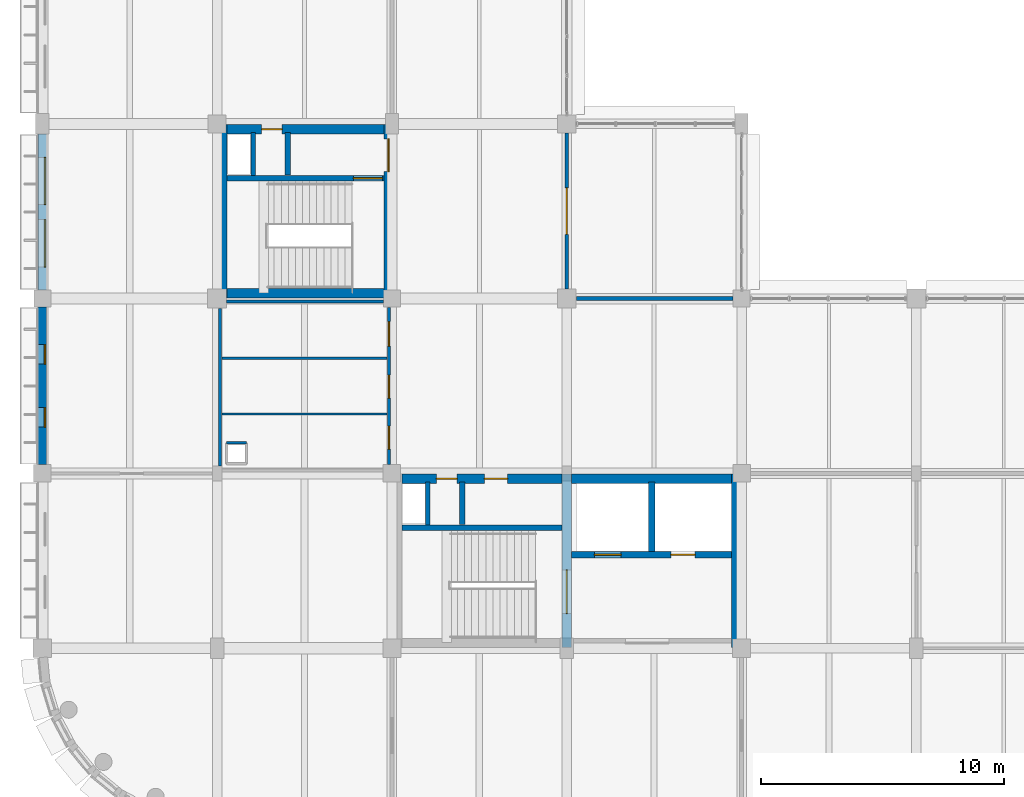
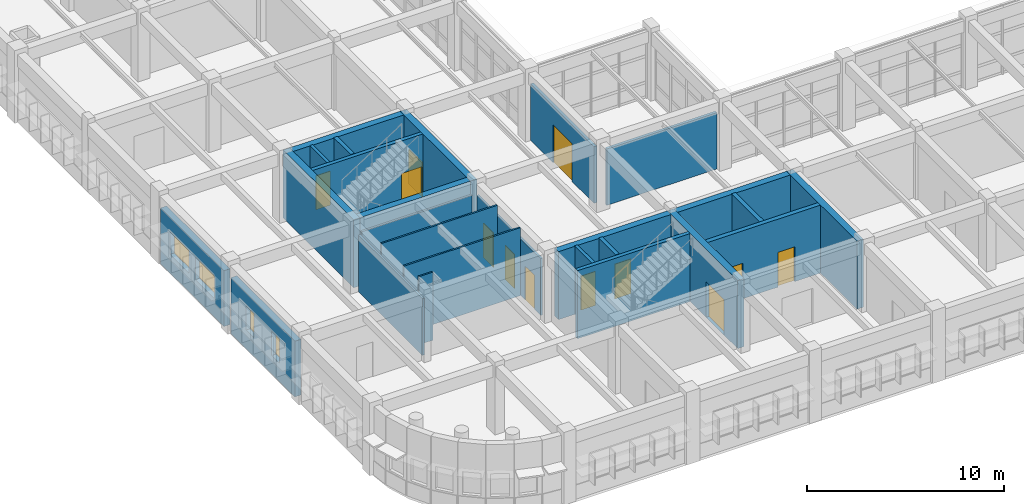
# One storey, part 148 of 171: 26 walls, 12 doors, 4 windows, 16 openings.
"""IFC4 building model written with IfcOpenShell, lengths in metres."""

from ifc_helpers import new_model, si_unit, direction, frame, frame_2d, origin, place, context, subcontext, project, spatial, rectangle, extrude, material, layer, layer_set, type_object, element, fill, save


model = new_model("IFC4")

# Units and contexts
model_context = context("Model", 3, precision=1e-05, world=origin(), true_north=direction((0.0, 1.0)))
body_context = subcontext(model_context, "Body", "Model", "MODEL_VIEW")
ifc_project = project(units=[si_unit("LENGTHUNIT", "METRE"), si_unit("AREAUNIT", "SQUARE_METRE"), si_unit("VOLUMEUNIT", "CUBIC_METRE"), si_unit("PLANEANGLEUNIT", "RADIAN"), si_unit("MASSUNIT", "GRAM", prefix="KILO")], contexts=[model_context])

# Site, building, storey
site_placement = place(None, origin())
site = spatial("IfcSite", under=ifc_project, at=site_placement, CompositionType="ELEMENT")
building_placement = place(site_placement, origin())
building = spatial("IfcBuilding", under=site, at=building_placement, Name="Thalmaran Polytechnic", CompositionType="ELEMENT")
storey_placement = place(building_placement, frame((0.0, 0.0, 5.39990234375)))
storey = spatial("IfcBuildingStorey", under=building, at=storey_placement, Name="L01", CompositionType="ELEMENT", Elevation=5.39990234375)

# Wall, openings, windows
ifc_material_1 = material(Name="Precast concrete C40/50", Category="concrete")
ifc_layer_1 = layer(ifc_material_1, 0.360107421875, Name="Precast concrete C40/50")
ifc_layer_set_1 = layer_set([ifc_layer_1], Name="Precast concrete C40/50")
wall_type_1 = type_object("IfcWallType", Name="WL-EW01", PredefinedType="STANDARD", material=ifc_layer_set_1)
wall_1_placement = place(storey_placement, frame((0.0, 14.760009765625, 0.0), z_axis=(0.0, 0.0, 1.0), x_axis=(0.0, 1.0, 0.0)))
wall_1 = element("IfcWall", 1, at=wall_1_placement, inside=storey, type_object=wall_type_1, Name="Exterior Precast Facade Wall L01-003", PredefinedType="STANDARD", context=body_context, shape_type="SweptSolid", body=[
    extrude(rectangle(XDim=6.489990234375, YDim=0.360107421875, at=frame_2d((3.2451171875, 0.0))), origin(), (0.0, 0.0, 1.0), 3.455078125),
])
opening_1_placement = place(wall_1_placement, frame((1.547119140625, 0.0, 1.14990234375)))
opening_1 = element("IfcOpeningElement", 2, at=opening_1_placement, cuts=wall_1, Name="Opening PW16", PredefinedType="OPENING", context=body_context, shape_type="SweptSolid", body=[
    extrude(rectangle(XDim=0.800048828125, YDim=1.5, at=frame_2d((0.39990234375, 0.75))), frame((0.0, 0.18994140625, 0.0), z_axis=(0.0, -1.0, 0.0), x_axis=(1.0, 0.0, 0.0)), (0.0, 0.0, 1.0), 0.380126953125),
])
opening_2_placement = place(wall_1_placement, frame((4.14306640625, 0.0, 1.14990234375)))
opening_2 = element("IfcOpeningElement", 3, at=opening_2_placement, cuts=wall_1, Name="Opening PW16", PredefinedType="OPENING", context=body_context, shape_type="SweptSolid", body=[
    extrude(rectangle(XDim=0.800048828125, YDim=1.5, at=frame_2d((0.39990234375, 0.75))), frame((0.0, 0.18994140625, 0.0), z_axis=(0.0, -1.0, 0.0), x_axis=(1.0, 0.0, 0.0)), (0.0, 0.0, 1.0), 0.380126953125),
])
ifc_material_2 = material(Name="Thermally broken aluminium and double low-E glass", Category="aluminium")
window_type_1 = type_object("IfcWindowType", Name="WN-PW06", PartitioningType="SINGLE_PANEL", PredefinedType="WINDOW", material=ifc_material_2)
window_1_placement = place(opening_1_placement, origin())
window_1 = element("IfcWindow", 4, at=window_1_placement, inside=storey, type_object=window_type_1, Name="Deep-Set Solar-Screened Window W-0086", OverallHeight=1.5, OverallWidth=0.800048828125, PartitioningType="SINGLE_PANEL", PredefinedType="WINDOW", context=body_context, shape_type="SweptSolid", body=[
    extrude(rectangle(XDim=0.800048828125, YDim=1.5, at=frame_2d((0.39990234375, 0.75))), frame((0.0, -0.080078125, 0.0), z_axis=(0.0, -1.0, 0.0), x_axis=(1.0, 0.0, 0.0)), (0.0, 0.0, 1.0), 0.06005859375),
])
fill(opening_1, window_1)
window_2_placement = place(opening_2_placement, origin())
window_2 = element("IfcWindow", 5, at=window_2_placement, inside=storey, type_object=window_type_1, Name="Deep-Set Solar-Screened Window W-0087", OverallHeight=1.5, OverallWidth=0.800048828125, PartitioningType="SINGLE_PANEL", PredefinedType="WINDOW", context=body_context, shape_type="SweptSolid", body=[
    extrude(rectangle(XDim=0.800048828125, YDim=1.5, at=frame_2d((0.39990234375, 0.75))), frame((0.0, -0.080078125, 0.0), z_axis=(0.0, -1.0, 0.0), x_axis=(1.0, 0.0, 0.0)), (0.0, 0.0, 1.0), 0.06005859375),
])
fill(opening_2, window_2)

wall_2_placement = place(storey_placement, frame((0.0, 21.949951171875, 0.0), z_axis=(0.0, 0.0, 1.0), x_axis=(0.0, 1.0, 0.0)))
wall_2 = element("IfcWall", 6, at=wall_2_placement, inside=storey, type_object=wall_type_1, Name="Exterior Precast Facade Wall L01-004", PredefinedType="STANDARD", context=body_context, shape_type="SweptSolid", body=[
    extrude(rectangle(XDim=6.425048828125, YDim=0.360107421875, at=frame_2d((3.21240234375, 0.0))), origin(), (0.0, 0.0, 1.0), 3.455078125),
])
opening_3_placement = place(wall_2_placement, frame((0.952392578125, 0.0, 1.14990234375)))
opening_3 = element("IfcOpeningElement", 7, at=opening_3_placement, cuts=wall_2, Name="Opening VW07", PredefinedType="OPENING", context=body_context, shape_type="SweptSolid", body=[
    extrude(rectangle(XDim=1.949951171875, YDim=1.39990234375, at=frame_2d((0.97509765625, 0.699951171875))), frame((0.0, 0.18994140625, 0.0), z_axis=(0.0, -1.0, 0.0), x_axis=(1.0, 0.0, 0.0)), (0.0, 0.0, 1.0), 0.380126953125),
])
opening_4_placement = place(wall_2_placement, frame((3.5224609375, 0.0, 1.14990234375)))
opening_4 = element("IfcOpeningElement", 8, at=opening_4_placement, cuts=wall_2, Name="Opening VW07", PredefinedType="OPENING", context=body_context, shape_type="SweptSolid", body=[
    extrude(rectangle(XDim=1.949951171875, YDim=1.39990234375, at=frame_2d((0.97509765625, 0.699951171875))), frame((0.0, 0.18994140625, 0.0), z_axis=(0.0, -1.0, 0.0), x_axis=(1.0, 0.0, 0.0)), (0.0, 0.0, 1.0), 0.380126953125),
])
window_type_2 = type_object("IfcWindowType", Name="WN-VZ07", PartitioningType="SINGLE_PANEL", PredefinedType="WINDOW", material=ifc_material_2)
window_3_placement = place(opening_3_placement, origin())
window_3 = element("IfcWindow", 9, at=window_3_placement, inside=storey, type_object=window_type_2, Name="Deep-Set Solar-Screened Window W-0088", OverallHeight=1.39990234375, OverallWidth=1.949951171875, PartitioningType="SINGLE_PANEL", PredefinedType="WINDOW", context=body_context, shape_type="SweptSolid", body=[
    extrude(rectangle(XDim=1.949951171875, YDim=1.39990234375, at=frame_2d((0.97509765625, 0.699951171875))), frame((0.0, -0.080078125, 0.0), z_axis=(0.0, -1.0, 0.0), x_axis=(1.0, 0.0, 0.0)), (0.0, 0.0, 1.0), 0.06005859375),
])
fill(opening_3, window_3)
window_4_placement = place(opening_4_placement, origin())
window_4 = element("IfcWindow", 10, at=window_4_placement, inside=storey, type_object=window_type_2, Name="Deep-Set Solar-Screened Window W-0089", OverallHeight=1.39990234375, OverallWidth=1.949951171875, PartitioningType="SINGLE_PANEL", PredefinedType="WINDOW", context=body_context, shape_type="SweptSolid", body=[
    extrude(rectangle(XDim=1.949951171875, YDim=1.39990234375, at=frame_2d((0.97509765625, 0.699951171875))), frame((0.0, -0.080078125, 0.0), z_axis=(0.0, -1.0, 0.0), x_axis=(1.0, 0.0, 0.0)), (0.0, 0.0, 1.0), 0.06005859375),
])
fill(opening_4, window_4)

# Walls
ifc_material_3 = material(Name="Autoclaved aerated masonry", Category="masonry")
ifc_layer_2 = layer(ifc_material_3, 0.25, Name="Autoclaved aerated masonry")
ifc_layer_set_2 = layer_set([ifc_layer_2], Name="Autoclaved aerated masonry")
wall_type_2 = type_object("IfcWallType", Name="WL-IW01", PredefinedType="PARTITIONING", material=ifc_layer_set_2)
wall_3_placement = place(storey_placement, frame((25.10009765625, 11.179931640625, 0.0), z_axis=(0.0, 0.0, 1.0), x_axis=(0.0, 1.0, 0.0)))
element("IfcWall", 11, at=wall_3_placement, inside=storey, type_object=wall_type_2, Name="Core C1 Shaft Dividing Wall L01", PredefinedType="PARTITIONING", context=body_context, shape_type="SweptSolid", body=[
    extrude(rectangle(XDim=2.8701171875, YDim=0.25, at=frame_2d((1.43505859375, 0.0))), origin(), (0.0, 0.0, 1.0), 4.210205078125),
])
ifc_layer_3 = layer(ifc_material_3, 0.22998046875, Name="Autoclaved aerated masonry")
ifc_layer_set_3 = layer_set([ifc_layer_3], Name="Autoclaved aerated masonry")
wall_type_3 = type_object("IfcWallType", Name="WL-IW02", PredefinedType="PARTITIONING", material=ifc_layer_set_3)
for number, where, z_axis, x_axis, name in (
    (12, (17.300048828125, 12.300048828125, 0.0), (0.0, 0.0, 1.0), (0.0, 1.0, 0.0), "Core C1 Riser Partition L01"),
    (13, (10.10009765625, 26.699951171875, 0.0), (0.0, 0.0, 1.0), (0.0, 1.0, 0.0), "Core C3 Riser Partition L01"),
):
    element("IfcWall", number, at=place(storey_placement, frame(where, z_axis=z_axis, x_axis=x_axis)), inside=storey, type_object=wall_type_3, Name=name, PredefinedType="PARTITIONING", context=body_context, shape_type="SweptSolid", body=[
        extrude(rectangle(XDim=1.739990234375, YDim=0.22998046875, at=frame_2d((0.8701171875, 0.0))), origin(), (0.0, 0.0, 1.0), 4.210205078125),
    ])
ifc_layer_4 = layer(ifc_material_3, 0.179931640625, Name="Autoclaved aerated masonry")
ifc_layer_set_4 = layer_set([ifc_layer_4], Name="Autoclaved aerated masonry")
wall_type_4 = type_object("IfcWallType", Name="WL-IW04", PredefinedType="PARTITIONING", material=ifc_layer_set_4)
for number, where, z_axis, x_axis, name in (
    (14, (15.8798828125, 12.280029296875, 0.0), (0.0, 0.0, 1.0), (0.0, 1.0, 0.0), "Core C1 Riser Shaft Enclosure Wall L01"),
    (15, (8.679931640625, 26.679931640625, 0.0), (0.0, 0.0, 1.0), (0.0, 1.0, 0.0), "Core C3 Riser Shaft Enclosure Wall L01"),
):
    element("IfcWall", number, at=place(storey_placement, frame(where, z_axis=z_axis, x_axis=x_axis)), inside=storey, type_object=wall_type_4, Name=name, PredefinedType="PARTITIONING", context=body_context, shape_type="SweptSolid", body=[
        extrude(rectangle(XDim=1.760009765625, YDim=0.179931640625, at=frame_2d((0.8798828125, 0.0))), origin(), (0.0, 0.0, 1.0), 4.210205078125),
    ])

# Wall, opening, door
ifc_material_4 = material(Name="Gypsum acoustic partition")
ifc_layer_5 = layer(ifc_material_4, 0.159912109375, Name="Gypsum acoustic partition")
ifc_layer_set_5 = layer_set([ifc_layer_5], Name="Gypsum acoustic partition")
wall_type_5 = type_object("IfcWallType", Name="WL-IW05", PredefinedType="PARTITIONING", material=ifc_layer_set_5)
wall_4_placement = place(storey_placement, frame((21.60009765625, 21.9951171875, 0.0), z_axis=(0.0, 0.0, 1.0), x_axis=(0.0, 1.0, 0.0)))
wall_4 = element("IfcWall", 16, at=wall_4_placement, inside=storey, type_object=wall_type_5, Name="Interior Partition IW05 L01-027", PredefinedType="PARTITIONING", context=body_context, shape_type="SweptSolid", body=[
    extrude(rectangle(XDim=6.4248046875, YDim=0.159912109375, at=frame_2d((3.21240234375, 0.0))), origin(), (0.0, 0.0, 1.0), 3.51513671875),
])
opening_5_placement = place(wall_4_placement, frame((2.25244140625, 0.0, 0.0)))
opening_5 = element("IfcOpeningElement", 17, at=opening_5_placement, cuts=wall_4, Name="Opening D-L01-009-1-05-1", PredefinedType="OPENING", context=body_context, shape_type="SweptSolid", body=[
    extrude(rectangle(XDim=1.919921875, YDim=2.35009765625, at=frame_2d((0.9599609375, 1.175048828125))), frame((0.0, 0.08984375, 0.0), z_axis=(0.0, -1.0, 0.0), x_axis=(1.0, 0.0, 0.0)), (0.0, 0.0, 1.0), 0.179931640625),
])
ifc_material_5 = material(Name="Acoustic hardwood and vision glass", Category="wood")
door_type_1 = type_object("IfcDoorType", Name="DR-ZD01", OperationType="NOTDEFINED", PredefinedType="DOOR", material=ifc_material_5)
door_1_placement = place(opening_5_placement, origin())
door_1 = element("IfcDoor", 18, at=door_1_placement, inside=storey, type_object=door_type_1, Name="Structural Models Design Studio L01-05 Door 1", OperationType="SINGLE_SWING_RIGHT", OverallHeight=2.35009765625, OverallWidth=1.919921875, PredefinedType="DOOR", context=body_context, shape_type="SweptSolid", body=[
    extrude(rectangle(XDim=1.919921875, YDim=2.35009765625, at=frame_2d((0.9599609375, 1.175048828125))), frame((0.0, 0.02490234375, 0.0), z_axis=(0.0, -1.0, 0.0), x_axis=(1.0, 0.0, 0.0)), (0.0, 0.0, 1.0), 0.050048828125),
])
fill(opening_5, door_1)

# Walls
wall_5_placement = place(storey_placement, frame((21.9951171875, 21.60009765625, 0.0), z_axis=(0.0, 0.0, 1.0), x_axis=(1.0, 0.0, 0.0)))
element("IfcWall", 19, at=wall_5_placement, inside=storey, type_object=wall_type_5, Name="Interior Partition IW05 L01-034", PredefinedType="PARTITIONING", context=body_context, shape_type="SweptSolid", body=[
    extrude(rectangle(XDim=6.449951171875, YDim=0.159912109375, at=frame_2d((3.22509765625, 0.0))), origin(), (0.0, 0.0, 1.0), 3.489990234375),
])
ifc_layer_6 = layer(ifc_material_4, 0.114990234375, Name="Gypsum acoustic partition")
ifc_layer_set_6 = layer_set([ifc_layer_6], Name="Gypsum acoustic partition")
wall_type_6 = type_object("IfcWallType", Name="WL-IW08", PredefinedType="PARTITIONING", material=ifc_layer_set_6)
wall_6_placement = place(storey_placement, frame((7.594970703125, 21.47998046875, 0.0), z_axis=(0.0, 0.0, 1.0), x_axis=(1.0, 0.0, 0.0)))
element("IfcWall", 20, at=wall_6_placement, inside=storey, type_object=wall_type_6, Name="Sanitary Core Wall L01-W1-N", PredefinedType="PARTITIONING", context=body_context, shape_type="SweptSolid", body=[
    extrude(rectangle(XDim=6.449951171875, YDim=0.114990234375, at=frame_2d((3.22509765625, 0.0))), origin(), (0.0, 0.0, 1.0), 3.47021484375),
])
wall_7_placement = place(storey_placement, frame((7.320068359375, 14.705078125, 0.0), z_axis=(0.0, 0.0, 1.0), x_axis=(0.0, 1.0, 0.0)))
element("IfcWall", 21, at=wall_7_placement, inside=storey, type_object=wall_type_6, Name="Sanitary Side Wall L01-W1-W", PredefinedType="PARTITIONING", context=body_context, shape_type="SweptSolid", body=[
    extrude(rectangle(XDim=6.5, YDim=0.114990234375, at=frame_2d((3.25, 0.0))), origin(), (0.0, 0.0, 1.0), 3.52001953125),
])

# Wall, openings, doors
wall_8_placement = place(storey_placement, frame((14.280029296875, 14.764892578125, 0.0), z_axis=(0.0, 0.0, 1.0), x_axis=(0.0, 1.0, 0.0)))
wall_8 = element("IfcWall", 22, at=wall_8_placement, inside=storey, type_object=wall_type_6, Name="Sanitary Side Wall L01-W1-E", PredefinedType="PARTITIONING", context=body_context, shape_type="SweptSolid", body=[
    extrude(rectangle(XDim=6.480224609375, YDim=0.114990234375, at=frame_2d((3.240234375, 0.0))), origin(), (0.0, 0.0, 1.0), 3.52001953125),
])
opening_6_placement = place(wall_8_placement, frame((0.635009765625, 0.0, 0.0)))
opening_6 = element("IfcOpeningElement", 23, at=opening_6_placement, cuts=wall_8, Name="Opening WD-L01-W1-1", PredefinedType="OPENING", context=body_context, shape_type="SweptSolid", body=[
    extrude(rectangle(XDim=0.949951171875, YDim=2.10009765625, at=frame_2d((0.47509765625, 1.050048828125))), frame((0.0, 0.0673828125, 0.0), z_axis=(0.0, -1.0, 0.0), x_axis=(1.0, 0.0, 0.0)), (0.0, 0.0, 1.0), 0.135009765625),
])
opening_7_placement = place(wall_8_placement, frame((2.735107421875, 0.0, 0.0)))
opening_7 = element("IfcOpeningElement", 24, at=opening_7_placement, cuts=wall_8, Name="Opening WD-L01-W1-2", PredefinedType="OPENING", context=body_context, shape_type="SweptSolid", body=[
    extrude(rectangle(XDim=0.949951171875, YDim=2.10009765625, at=frame_2d((0.47509765625, 1.050048828125))), frame((0.0, 0.0673828125, 0.0), z_axis=(0.0, -1.0, 0.0), x_axis=(1.0, 0.0, 0.0)), (0.0, 0.0, 1.0), 0.135009765625),
])
opening_8_placement = place(wall_8_placement, frame((4.885009765625, 0.0, 0.0)))
opening_8 = element("IfcOpeningElement", 25, at=opening_8_placement, cuts=wall_8, Name="Opening WD-L01-W1-3", PredefinedType="OPENING", context=body_context, shape_type="SweptSolid", body=[
    extrude(rectangle(XDim=1.0, YDim=2.14990234375, at=frame_2d((0.5, 1.074951171875))), frame((0.0, 0.0673828125, 0.0), z_axis=(0.0, -1.0, 0.0), x_axis=(1.0, 0.0, 0.0)), (0.0, 0.0, 1.0), 0.135009765625),
])
ifc_material_6 = material(Name="Acoustic hardwood", Category="wood")
door_type_2 = type_object("IfcDoorType", Name="DR-ID06", OperationType="NOTDEFINED", PredefinedType="DOOR", material=ifc_material_6)
door_2_placement = place(opening_8_placement, origin())
door_2 = element("IfcDoor", 26, at=door_2_placement, inside=storey, type_object=door_type_2, Name="Accessible WC Door L01-W1", OperationType="SINGLE_SWING_LEFT", OverallHeight=2.14990234375, OverallWidth=1.0, PredefinedType="DOOR", context=body_context, shape_type="SweptSolid", body=[
    extrude(rectangle(XDim=1.0, YDim=2.14990234375, at=frame_2d((0.5, 1.074951171875))), frame((0.0, 0.02490234375, 0.0), z_axis=(0.0, -1.0, 0.0), x_axis=(1.0, 0.0, 0.0)), (0.0, 0.0, 1.0), 0.050048828125),
])
fill(opening_8, door_2)
ifc_material_7 = material(Name="Moisture-resistant laminate timber", Category="wood")
door_type_3 = type_object("IfcDoorType", Name="DR-ID07", OperationType="NOTDEFINED", PredefinedType="DOOR", material=ifc_material_7)
door_3_placement = place(opening_6_placement, origin())
door_3 = element("IfcDoor", 27, at=door_3_placement, inside=storey, type_object=door_type_3, Name="Male WC Door L01-W1", OperationType="SINGLE_SWING_LEFT", OverallHeight=2.10009765625, OverallWidth=0.949951171875, PredefinedType="DOOR", context=body_context, shape_type="SweptSolid", body=[
    extrude(rectangle(XDim=0.949951171875, YDim=2.10009765625, at=frame_2d((0.47509765625, 1.050048828125))), frame((0.0, 0.02490234375, 0.0), z_axis=(0.0, -1.0, 0.0), x_axis=(1.0, 0.0, 0.0)), (0.0, 0.0, 1.0), 0.050048828125),
])
fill(opening_6, door_3)
door_4_placement = place(opening_7_placement, origin())
door_4 = element("IfcDoor", 28, at=door_4_placement, inside=storey, type_object=door_type_3, Name="Female WC Door L01-W1", OperationType="SINGLE_SWING_RIGHT", OverallHeight=2.10009765625, OverallWidth=0.949951171875, PredefinedType="DOOR", context=body_context, shape_type="SweptSolid", body=[
    extrude(rectangle(XDim=0.949951171875, YDim=2.10009765625, at=frame_2d((0.47509765625, 1.050048828125))), frame((0.0, 0.02490234375, 0.0), z_axis=(0.0, -1.0, 0.0), x_axis=(1.0, 0.0, 0.0)), (0.0, 0.0, 1.0), 0.050048828125),
])
fill(opening_7, door_4)

# Walls
ifc_material_8 = material(Name="Moisture-resistant partition")
ifc_layer_7 = layer(ifc_material_8, 0.10009765625, Name="Moisture-resistant partition")
ifc_layer_set_7 = layer_set([ifc_layer_7], Name="Moisture-resistant partition")
wall_type_7 = type_object("IfcWallType", Name="WL-IW09", PredefinedType="PARTITIONING", material=ifc_layer_set_7)
for number, where, z_axis, x_axis, name in (
    (29, (7.39990234375, 16.85009765625, 0.0), (0.0, 0.0, 1.0), (1.0, 0.0, 0.0), "WC Partition L01-W1-1"),
    (30, (7.39990234375, 19.14990234375, 0.0), (0.0, 0.0, 1.0), (1.0, 0.0, 0.0), "WC Partition L01-W1-2"),
):
    element("IfcWall", number, at=place(storey_placement, frame(where, z_axis=z_axis, x_axis=x_axis)), inside=storey, type_object=wall_type_7, Name=name, PredefinedType="PARTITIONING", context=body_context, shape_type="SweptSolid", body=[
        extrude(rectangle(XDim=6.800048828125, YDim=0.10009765625, at=frame_2d((3.39990234375, 0.0))), origin(), (0.0, 0.0, 1.0), 4.210205078125),
    ])
wall_9_placement = place(storey_placement, frame((8.409912109375, 15.659912109375, 0.0), z_axis=(0.0, 0.0, 1.0), x_axis=(-1.0, 0.0, 0.0)))
element("IfcWall", 31, at=wall_9_placement, inside=storey, type_object=wall_type_7, Name="Plumbing Riser Chase Wall L01-W1-N", PredefinedType="PARTITIONING", context=body_context, shape_type="SweptSolid", body=[
    extrude(rectangle(XDim=0.81982421875, YDim=0.10009765625, at=frame_2d((0.409912109375, 0.0))), origin(), (0.0, 0.0, 1.0), 4.210205078125),
])

# Wall, openings, doors
ifc_material_9 = material(Name="Concrete C50/60", Category="concrete")
ifc_layer_8 = layer(ifc_material_9, 0.3798828125, Name="Concrete C50/60")
ifc_layer_set_8 = layer_set([ifc_layer_8], Name="Concrete C50/60")
wall_type_8 = type_object("IfcWallType", Name="WL-SW02", PredefinedType="SHEAR", material=ifc_layer_set_8)
wall_10_placement = place(storey_placement, frame((14.81005859375, 14.179931640625, 0.0), z_axis=(0.0, 0.0, 1.0), x_axis=(1.0, 0.0, 0.0)))
wall_10 = element("IfcWall", 32, at=wall_10_placement, inside=storey, type_object=wall_type_8, Name="Core C1 North Shear Wall L01", PredefinedType="SHEAR", context=body_context, shape_type="SweptSolid", body=[
    extrude(rectangle(XDim=6.599853515625, YDim=0.3798828125, at=frame_2d((3.2998046875, 0.0))), origin(), (0.0, 0.0, 1.0), 4.210205078125),
])
opening_9_placement = place(wall_10_placement, frame((1.419921875, 0.0, 0.0)))
opening_9 = element("IfcOpeningElement", 33, at=opening_9_placement, cuts=wall_10, Name="Opening DR-C1-L01-R", PredefinedType="OPENING", context=body_context, shape_type="SweptSolid", body=[
    extrude(rectangle(XDim=0.85009765625, YDim=2.10009765625, at=frame_2d((0.425048828125, 1.050048828125))), frame((0.0, 0.199951171875, 0.0), z_axis=(0.0, -1.0, 0.0), x_axis=(1.0, 0.0, 0.0)), (0.0, 0.0, 1.0), 0.39990234375),
])
opening_10_placement = place(wall_10_placement, frame((3.39990234375, 0.0, 0.0)))
opening_10 = element("IfcOpeningElement", 34, at=opening_10_placement, cuts=wall_10, Name="Opening ED-C1-L01-E", PredefinedType="OPENING", context=body_context, shape_type="SweptSolid", body=[
    extrude(rectangle(XDim=0.949951171875, YDim=2.14990234375, at=frame_2d((0.47509765625, 1.074951171875))), frame((0.0, 0.199951171875, 0.0), z_axis=(0.0, -1.0, 0.0), x_axis=(1.0, 0.0, 0.0)), (0.0, 0.0, 1.0), 0.39990234375),
])
ifc_material_10 = material(Name="Powder-coated fire-rated steel", Category="steel")
door_type_4 = type_object("IfcDoorType", Name="DR-FD08", OperationType="NOTDEFINED", PredefinedType="DOOR", material=ifc_material_10)
door_5_placement = place(opening_10_placement, origin())
door_5 = element("IfcDoor", 35, at=door_5_placement, inside=storey, type_object=door_type_4, Name="Electrical Riser Door C1 L01", OperationType="SINGLE_SWING_LEFT", OverallHeight=2.14990234375, OverallWidth=0.949951171875, PredefinedType="DOOR", context=body_context, shape_type="SweptSolid", body=[
    extrude(rectangle(XDim=0.949951171875, YDim=2.14990234375, at=frame_2d((0.47509765625, 1.074951171875))), frame((0.0, 0.02490234375, 0.0), z_axis=(0.0, -1.0, 0.0), x_axis=(1.0, 0.0, 0.0)), (0.0, 0.0, 1.0), 0.050048828125),
])
fill(opening_10, door_5)
door_type_5 = type_object("IfcDoorType", Name="DR-FD09", OperationType="NOTDEFINED", PredefinedType="DOOR", material=ifc_material_10)
door_6_placement = place(opening_9_placement, origin())
door_6 = element("IfcDoor", 36, at=door_6_placement, inside=storey, type_object=door_type_5, Name="Riser Access Fire Door C1 L01", OperationType="SINGLE_SWING_LEFT", OverallHeight=2.10009765625, OverallWidth=0.85009765625, PredefinedType="DOOR", context=body_context, shape_type="SweptSolid", body=[
    extrude(rectangle(XDim=0.85009765625, YDim=2.10009765625, at=frame_2d((0.425048828125, 1.050048828125))), frame((0.0, 0.02490234375, 0.0), z_axis=(0.0, -1.0, 0.0), x_axis=(1.0, 0.0, 0.0)), (0.0, 0.0, 1.0), 0.050048828125),
])
fill(opening_9, door_6)

# Wall
wall_11_placement = place(storey_placement, frame((14.81005859375, 12.159912109375, 0.0), z_axis=(0.0, 0.0, 1.0), x_axis=(1.0, 0.0, 0.0)))
element("IfcWall", 37, at=wall_11_placement, inside=storey, type_object=wall_type_8, Name="Core C1 Stair Partition L01", PredefinedType="SHEAR", context=body_context, shape_type="SweptSolid", body=[
    extrude(rectangle(XDim=6.599853515625, YDim=0.219970703125, at=frame_2d((3.2998046875, 0.0))), origin(), (0.0, 0.0, 1.0), 4.210205078125),
])

# Wall, opening, door
wall_12_placement = place(storey_placement, frame((21.60009765625, 7.22998046875, 0.0), z_axis=(0.0, 0.0, 1.0), x_axis=(0.0, 1.0, 0.0)))
wall_12 = element("IfcWall", 38, at=wall_12_placement, inside=storey, type_object=wall_type_8, Name="Core C1 Stair-Lobby Dividing Shear Wall L01", PredefinedType="SHEAR", context=body_context, shape_type="SweptSolid", body=[
    extrude(rectangle(XDim=7.14013671875, YDim=0.3798828125, at=frame_2d((3.570068359375, 0.0))), origin(), (0.0, 0.0, 1.0), 4.210205078125),
])
opening_11_placement = place(wall_12_placement, frame((1.39990234375, 0.0, 0.0)))
opening_11 = element("IfcOpeningElement", 39, at=opening_11_placement, cuts=wall_12, Name="Opening SD-ST1-L01", PredefinedType="OPENING", context=body_context, shape_type="SweptSolid", body=[
    extrude(rectangle(XDim=1.800048828125, YDim=2.199951171875, at=frame_2d((0.89990234375, 1.10009765625))), frame((0.0, 0.199951171875, 0.0), z_axis=(0.0, -1.0, 0.0), x_axis=(1.0, 0.0, 0.0)), (0.0, 0.0, 1.0), 0.39990234375),
])
door_type_6 = type_object("IfcDoorType", Name="DR-FD03", OperationType="NOTDEFINED", PredefinedType="DOOR", material=ifc_material_10)
door_7_placement = place(opening_11_placement, origin())
door_7 = element("IfcDoor", 40, at=door_7_placement, inside=storey, type_object=door_type_6, Name="Firefighting Lobby to Exit Stair Door ST1 L01", OperationType="SINGLE_SWING_RIGHT", OverallHeight=2.199951171875, OverallWidth=1.800048828125, PredefinedType="DOOR", context=body_context, shape_type="SweptSolid", body=[
    extrude(rectangle(XDim=1.800048828125, YDim=2.199951171875, at=frame_2d((0.89990234375, 1.10009765625))), frame((0.0, 0.02490234375, 0.0), z_axis=(0.0, -1.0, 0.0), x_axis=(1.0, 0.0, 0.0)), (0.0, 0.0, 1.0), 0.050048828125),
])
fill(opening_11, door_7)

# Walls
wall_13_placement = place(storey_placement, frame((28.580078125, 7.22998046875, 0.0), z_axis=(0.0, 0.0, 1.0), x_axis=(0.0, 1.0, 0.0)))
element("IfcWall", 41, at=wall_13_placement, inside=storey, type_object=wall_type_8, Name="Core C1 Lobby East Shear Wall L01", PredefinedType="SHEAR", context=body_context, shape_type="SweptSolid", body=[
    extrude(rectangle(XDim=7.14013671875, YDim=0.3798828125, at=frame_2d((3.570068359375, 0.0))), origin(), (0.0, 0.0, 1.0), 4.210205078125),
])
wall_14_placement = place(storey_placement, frame((21.7900390625, 14.179931640625, 0.0), z_axis=(0.0, 0.0, 1.0), x_axis=(1.0, 0.0, 0.0)))
element("IfcWall", 42, at=wall_14_placement, inside=storey, type_object=wall_type_8, Name="Core C1 Lift Shaft Back Shear Wall L01", PredefinedType="SHEAR", context=body_context, shape_type="SweptSolid", body=[
    extrude(rectangle(XDim=6.599853515625, YDim=0.3798828125, at=frame_2d((3.2998046875, 0.0))), origin(), (0.0, 0.0, 1.0), 4.210205078125),
])

# Wall, openings, doors
wall_15_placement = place(storey_placement, frame((21.7900390625, 11.050048828125, 0.0), z_axis=(0.0, 0.0, 1.0), x_axis=(1.0, 0.0, 0.0)))
wall_15 = element("IfcWall", 43, at=wall_15_placement, inside=storey, type_object=wall_type_8, Name="Core C1 Lift Landing Front Wall L01", PredefinedType="SHEAR", context=body_context, shape_type="SweptSolid", body=[
    extrude(rectangle(XDim=6.599853515625, YDim=0.260009765625, at=frame_2d((3.2998046875, 0.0))), origin(), (0.0, 0.0, 1.0), 4.210205078125),
])
opening_12_placement = place(wall_15_placement, frame((0.949951171875, 0.0, 0.0)))
opening_12 = element("IfcOpeningElement", 44, at=opening_12_placement, cuts=wall_15, Name="Opening LD-FL-01-L01", PredefinedType="OPENING", context=body_context, shape_type="SweptSolid", body=[
    extrude(rectangle(XDim=1.10009765625, YDim=2.199951171875, at=frame_2d((0.550048828125, 1.10009765625))), frame((0.0, 0.139892578125, 0.0), z_axis=(0.0, -1.0, 0.0), x_axis=(1.0, 0.0, 0.0)), (0.0, 0.0, 1.0), 0.280029296875),
])
opening_13_placement = place(wall_15_placement, frame((4.10009765625, 0.0, 0.0)))
opening_13 = element("IfcOpeningElement", 45, at=opening_13_placement, cuts=wall_15, Name="Opening LD-PL-01-L01", PredefinedType="OPENING", context=body_context, shape_type="SweptSolid", body=[
    extrude(rectangle(XDim=1.0, YDim=2.14990234375, at=frame_2d((0.5, 1.074951171875))), frame((0.0, 0.139892578125, 0.0), z_axis=(0.0, -1.0, 0.0), x_axis=(1.0, 0.0, 0.0)), (0.0, 0.0, 1.0), 0.280029296875),
])
ifc_material_11 = material(Name="Brushed stainless steel lift door", Category="steel")
door_type_7 = type_object("IfcDoorType", Name="DR-LD01", OperationType="NOTDEFINED", PredefinedType="DOOR", material=ifc_material_11)
door_8_placement = place(opening_12_placement, origin())
door_8 = element("IfcDoor", 46, at=door_8_placement, inside=storey, type_object=door_type_7, Name="Lift Landing Door FL-01 L01", OperationType="SLIDING_TO_LEFT", OverallHeight=2.199951171875, OverallWidth=1.10009765625, PredefinedType="DOOR", context=body_context, shape_type="SweptSolid", body=[
    extrude(rectangle(XDim=1.10009765625, YDim=2.199951171875, at=frame_2d((0.550048828125, 1.10009765625))), frame((0.0, 0.02490234375, 0.0), z_axis=(0.0, -1.0, 0.0), x_axis=(1.0, 0.0, 0.0)), (0.0, 0.0, 1.0), 0.050048828125),
])
fill(opening_12, door_8)
door_type_8 = type_object("IfcDoorType", Name="DR-LD02", OperationType="NOTDEFINED", PredefinedType="DOOR", material=ifc_material_11)
door_9_placement = place(opening_13_placement, origin())
door_9 = element("IfcDoor", 47, at=door_9_placement, inside=storey, type_object=door_type_8, Name="Lift Landing Door PL-01 L01", OperationType="SLIDING_TO_RIGHT", OverallHeight=2.14990234375, OverallWidth=1.0, PredefinedType="DOOR", context=body_context, shape_type="SweptSolid", body=[
    extrude(rectangle(XDim=1.0, YDim=2.14990234375, at=frame_2d((0.5, 1.074951171875))), frame((0.0, 0.02490234375, 0.0), z_axis=(0.0, -1.0, 0.0), x_axis=(1.0, 0.0, 0.0)), (0.0, 0.0, 1.0), 0.050048828125),
])
fill(opening_13, door_9)

# Walls
wall_16_placement = place(storey_placement, frame((7.610107421875, 21.820068359375, 0.0), z_axis=(0.0, 0.0, 1.0), x_axis=(1.0, 0.0, 0.0)))
element("IfcWall", 48, at=wall_16_placement, inside=storey, type_object=wall_type_8, Name="Core C3 South Shear Wall L01", PredefinedType="SHEAR", context=body_context, shape_type="SweptSolid", body=[
    extrude(rectangle(XDim=6.4599609375, YDim=0.3798828125, at=frame_2d((3.22998046875, 0.0))), origin(), (0.0, 0.0, 1.0), 4.210205078125),
])
wall_17_placement = place(storey_placement, frame((7.419921875, 28.77001953125, 0.0), z_axis=(0.0, 0.0, 1.0), x_axis=(0.0, -1.0, 0.0)))
element("IfcWall", 49, at=wall_17_placement, inside=storey, type_object=wall_type_8, Name="Core C3 West Shear Wall L01", PredefinedType="SHEAR", context=body_context, shape_type="SweptSolid", body=[
    extrude(rectangle(XDim=7.14013671875, YDim=0.3798828125, at=frame_2d((3.570068359375, 0.0))), origin(), (0.0, 0.0, 1.0), 4.210205078125),
])

# Wall, opening, door
wall_18_placement = place(storey_placement, frame((7.610107421875, 28.580078125, 0.0), z_axis=(0.0, 0.0, 1.0), x_axis=(1.0, 0.0, 0.0)))
wall_18 = element("IfcWall", 50, at=wall_18_placement, inside=storey, type_object=wall_type_8, Name="Core C3 North Shear Wall L01", PredefinedType="SHEAR", context=body_context, shape_type="SweptSolid", body=[
    extrude(rectangle(XDim=6.4599609375, YDim=0.3798828125, at=frame_2d((3.22998046875, 0.0))), origin(), (0.0, 0.0, 1.0), 4.210205078125),
])
opening_14_placement = place(wall_18_placement, frame((1.419921875, 0.0, 0.0)))
opening_14 = element("IfcOpeningElement", 51, at=opening_14_placement, cuts=wall_18, Name="Opening DR-C3-L01-R", PredefinedType="OPENING", context=body_context, shape_type="SweptSolid", body=[
    extrude(rectangle(XDim=0.85009765625, YDim=2.10009765625, at=frame_2d((0.425048828125, 1.050048828125))), frame((0.0, 0.199951171875, 0.0), z_axis=(0.0, -1.0, 0.0), x_axis=(1.0, 0.0, 0.0)), (0.0, 0.0, 1.0), 0.39990234375),
])
door_10_placement = place(opening_14_placement, origin())
door_10 = element("IfcDoor", 52, at=door_10_placement, inside=storey, type_object=door_type_5, Name="Riser Access Fire Door C3 L01", OperationType="SINGLE_SWING_RIGHT", OverallHeight=2.10009765625, OverallWidth=0.85009765625, PredefinedType="DOOR", context=body_context, shape_type="SweptSolid", body=[
    extrude(rectangle(XDim=0.85009765625, YDim=2.10009765625, at=frame_2d((0.425048828125, 1.050048828125))), frame((0.0, 0.02490234375, 0.0), z_axis=(0.0, -1.0, 0.0), x_axis=(1.0, 0.0, 0.0)), (0.0, 0.0, 1.0), 0.050048828125),
])
fill(opening_14, door_10)

wall_19_placement = place(storey_placement, frame((7.610107421875, 26.56005859375, 0.0), z_axis=(0.0, 0.0, 1.0), x_axis=(1.0, 0.0, 0.0)))
wall_19 = element("IfcWall", 53, at=wall_19_placement, inside=storey, type_object=wall_type_8, Name="Core C3 Stair Partition L01", PredefinedType="SHEAR", context=body_context, shape_type="SweptSolid", body=[
    extrude(rectangle(XDim=6.4599609375, YDim=0.219970703125, at=frame_2d((3.22998046875, 0.0))), origin(), (0.0, 0.0, 1.0), 4.210205078125),
])
opening_15_placement = place(wall_19_placement, frame((5.199951171875, 0.0, 0.0)))
opening_15 = element("IfcOpeningElement", 54, at=opening_15_placement, cuts=wall_19, Name="Opening SD-ST3-L01", PredefinedType="OPENING", context=body_context, shape_type="SweptSolid", body=[
    extrude(rectangle(XDim=1.199951171875, YDim=2.199951171875, at=frame_2d((0.60009765625, 1.10009765625))), frame((0.0, 0.119873046875, 0.0), z_axis=(0.0, -1.0, 0.0), x_axis=(1.0, 0.0, 0.0)), (0.0, 0.0, 1.0), 0.239990234375),
])
door_type_9 = type_object("IfcDoorType", Name="DR-FD04", OperationType="NOTDEFINED", PredefinedType="DOOR", material=ifc_material_10)
door_11_placement = place(opening_15_placement, origin())
door_11 = element("IfcDoor", 55, at=door_11_placement, inside=storey, type_object=door_type_9, Name="Exit Stair Fire Door ST3 L01", OperationType="DOUBLE_DOOR_SINGLE_SWING", OverallHeight=2.199951171875, OverallWidth=1.199951171875, PredefinedType="DOOR", context=body_context, shape_type="SweptSolid", body=[
    extrude(rectangle(XDim=1.199951171875, YDim=2.199951171875, at=frame_2d((0.60009765625, 1.10009765625))), frame((0.0, 0.02490234375, 0.0), z_axis=(0.0, -1.0, 0.0), x_axis=(1.0, 0.0, 0.0)), (0.0, 0.0, 1.0), 0.050048828125),
])
fill(opening_15, door_11)

wall_20_placement = place(storey_placement, frame((14.260009765625, 21.6298828125, 0.0), z_axis=(0.0, 0.0, 1.0), x_axis=(0.0, 1.0, 0.0)))
wall_20 = element("IfcWall", 56, at=wall_20_placement, inside=storey, type_object=wall_type_8, Name="Core C3 East Shear Wall L01", PredefinedType="SHEAR", context=body_context, shape_type="SweptSolid", body=[
    extrude(rectangle(XDim=7.14013671875, YDim=0.3798828125, at=frame_2d((3.570068359375, 0.0))), origin(), (0.0, 0.0, 1.0), 4.210205078125),
])
opening_16_placement = place(wall_20_placement, frame((5.199951171875, 0.0, 0.0)))
opening_16 = element("IfcOpeningElement", 57, at=opening_16_placement, cuts=wall_20, Name="Opening LD-C3-L01", PredefinedType="OPENING", context=body_context, shape_type="SweptSolid", body=[
    extrude(rectangle(XDim=1.35009765625, YDim=2.14990234375, at=frame_2d((0.675048828125, 1.074951171875))), frame((0.0, 0.199951171875, 0.0), z_axis=(0.0, -1.0, 0.0), x_axis=(1.0, 0.0, 0.0)), (0.0, 0.0, 1.0), 0.39990234375),
])
door_type_10 = type_object("IfcDoorType", Name="DR-FD06", OperationType="NOTDEFINED", PredefinedType="DOOR", material=ifc_material_10)
door_12_placement = place(opening_16_placement, origin())
door_12 = element("IfcDoor", 58, at=door_12_placement, inside=storey, type_object=door_type_10, Name="Stair Lobby Fire Door C3 L01", OperationType="SINGLE_SWING_LEFT", OverallHeight=2.14990234375, OverallWidth=1.35009765625, PredefinedType="DOOR", context=body_context, shape_type="SweptSolid", body=[
    extrude(rectangle(XDim=1.35009765625, YDim=2.14990234375, at=frame_2d((0.675048828125, 1.074951171875))), frame((0.0, 0.02490234375, 0.0), z_axis=(0.0, -1.0, 0.0), x_axis=(1.0, 0.0, 0.0)), (0.0, 0.0, 1.0), 0.050048828125),
])
fill(opening_16, door_12)

save(model, "model.ifc")
